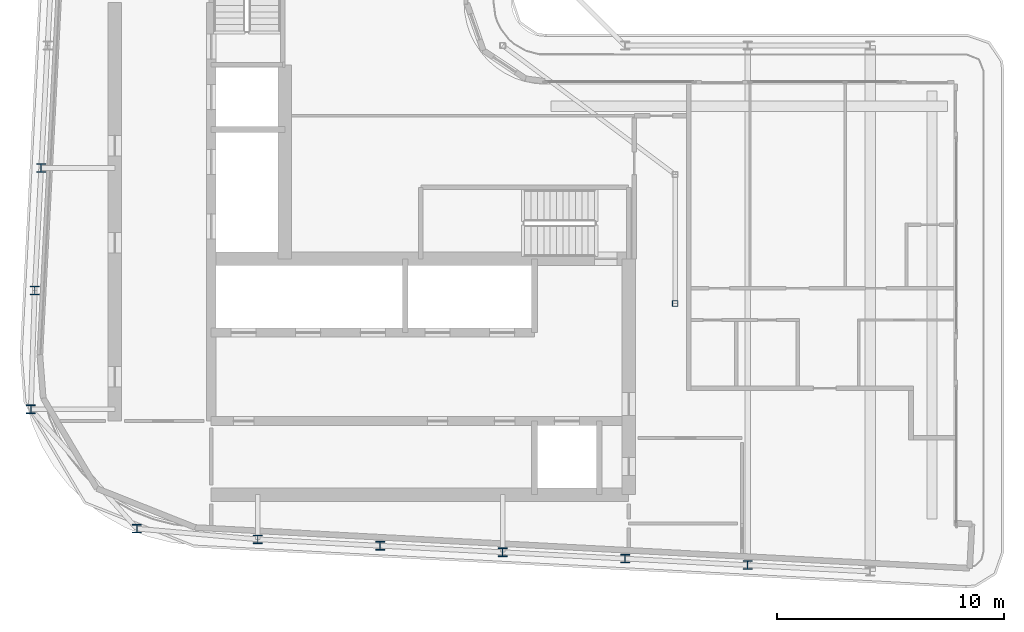
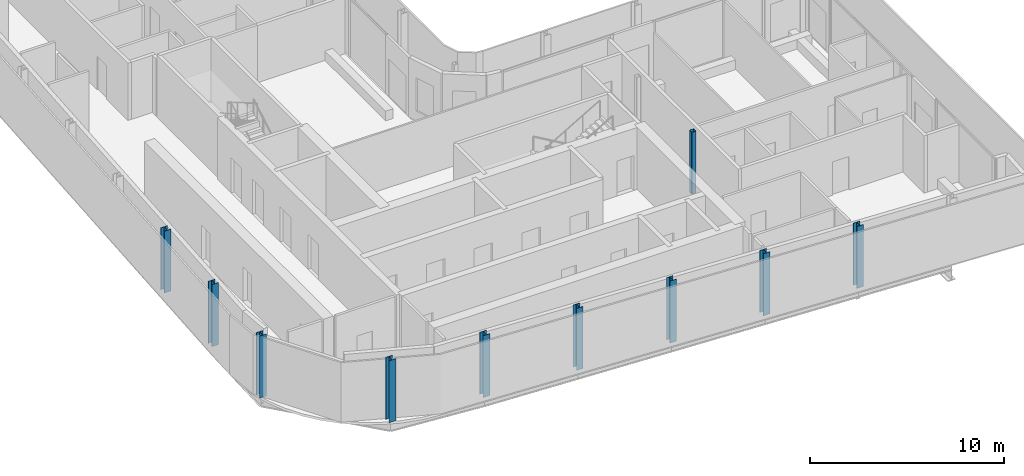
# One storey, part 1 of 21: 10 columns.
"""IFC4 building model written with IfcOpenShell, lengths in metres."""

from ifc_helpers import new_model, si_unit, direction, frame, origin, origin_2d, place, context, subcontext, project, spatial, hollow_rectangle, i_section, extrude, material, material_profile, profile_set, type_object, element, save


model = new_model("IFC4")

# Units and contexts
model_context = context("Model", 3, precision=1e-05, world=origin(), true_north=direction((0.0, 1.0)))
body_context = subcontext(model_context, "Body", "Model", "MODEL_VIEW")
ifc_project = project(units=[si_unit("LENGTHUNIT", "METRE"), si_unit("AREAUNIT", "SQUARE_METRE"), si_unit("VOLUMEUNIT", "CUBIC_METRE"), si_unit("PLANEANGLEUNIT", "RADIAN"), si_unit("MASSUNIT", "GRAM", prefix="KILO")], contexts=[model_context])

# Site, building, storey
site_placement = place(None, origin())
site = spatial("IfcSite", under=ifc_project, at=site_placement, CompositionType="ELEMENT")
building_placement = place(site_placement, origin())
building = spatial("IfcBuilding", under=site, at=building_placement, Name="Kheshtan School and Residences Tower", CompositionType="ELEMENT")
storey_placement = place(building_placement, frame((0.0, 0.0, 309.800048828125)))
storey = spatial("IfcBuildingStorey", under=building, at=storey_placement, Name="L73", CompositionType="ELEMENT", Elevation=309.800048828125)

# Columns
ifc_material_1 = material(Name="Steel ASTM A992 Grade 50", Category="steel")
ifc_material_profile_1 = material_profile(ifc_material_1, i_section(OverallWidth=0.39501953125, OverallDepth=0.3798828125, WebThickness=0.018798828125, FlangeThickness=0.0302734375, FilletRadius=0.011474609375, at=origin_2d()), Name="W360x237")
ifc_profile_set_1 = profile_set([ifc_material_profile_1], Name="Steel ASTM A992 Grade 50")
column_type_1 = type_object("IfcColumnType", Name="Column C5 W360x237 ASTM A992 Grade 50", PredefinedType="COLUMN", material=ifc_profile_set_1)
for number, where, z_axis, x_axis, name in (
    (1, (58.39990234375, 22.695068359375, 0.0), (0.0, 0.0, 1.0), (1.0, 0.0, 0.0), "Column C018"),
    (2, (53.0, 22.97998046875, 0.0), (0.0, 0.0, 1.0), (1.0, 0.0, 0.0), "Column C019"),
    (3, (47.60009765625, 23.263916015625, 0.0), (0.0, 0.0, 1.0), (1.0, 0.0, 0.0), "Column C020"),
    (4, (42.199951171875, 23.548095703125, 0.0), (0.0, 0.0, 1.0), (1.0, 0.0, 0.0), "Column C021"),
    (5, (36.800048828125, 23.83203125, 0.0), (0.0, 0.0, 1.0), (1.0, 0.0, 0.0), "Column C022"),
    (6, (31.47412109375, 24.302001953125, 0.0), (0.0, 0.0, 1.0), (1.0, 0.0, 0.0), "Column C031"),
    (7, (26.797119140625, 29.56591796875, 0.0), (0.0, 0.0, 1.0), (1.0, 0.0, 0.0), "Column C044"),
    (8, (26.968994140625, 34.800048828125, 0.0), (0.0, 0.0, 1.0), (1.0, 0.0, 0.0), "Column C052"),
    (9, (27.2529296875, 40.199951171875, 0.0), (0.0, 0.0, 1.0), (1.0, 0.0, 0.0), "Column C056"),
):
    element("IfcColumn", number, at=place(storey_placement, frame(where, z_axis=z_axis, x_axis=x_axis)), inside=storey, type_object=column_type_1, Name=name, PredefinedType="COLUMN", context=body_context, shape_type="SweptSolid", body=[
        extrude(i_section(OverallWidth=0.39501953125, OverallDepth=0.3798828125, WebThickness=0.018798828125, FlangeThickness=0.0302734375, FilletRadius=0.011474609375, at=origin_2d()), origin(), (0.0, 0.0, 1.0), 3.89990234375),
    ])
ifc_material_2 = material(Name="Steel ASTM A500 Grade C", Category="steel")
ifc_material_profile_2 = material_profile(ifc_material_2, hollow_rectangle(XDim=0.25390625, YDim=0.25390625, WallThickness=0.0126953125, InnerFilletRadius=0.0126953125, OuterFilletRadius=0.025390625, at=origin_2d()), Name="HSS 254x254x12.7")
ifc_profile_set_2 = profile_set([ifc_material_profile_2], Name="Steel ASTM A500 Grade C")
column_type_2 = type_object("IfcColumnType", Name="Column IC3 HSS 254x254x12.7 ASTM A500 Grade C", PredefinedType="COLUMN", material=ifc_profile_set_2)
column_placement = place(storey_placement, frame((55.199951171875, 34.23193359375, 0.0), z_axis=(0.0, 0.0, 1.0), x_axis=(1.0, 0.0, 0.0)))
element("IfcColumn", 10, at=column_placement, inside=storey, type_object=column_type_2, Name="Column C051", PredefinedType="COLUMN", context=body_context, shape_type="SweptSolid", body=[
    extrude(hollow_rectangle(XDim=0.25390625, YDim=0.25390625, WallThickness=0.0126953125, InnerFilletRadius=0.0126953125, OuterFilletRadius=0.025390625, at=origin_2d()), origin(), (0.0, 0.0, 1.0), 3.89990234375),
])

save(model, "model.ifc")
